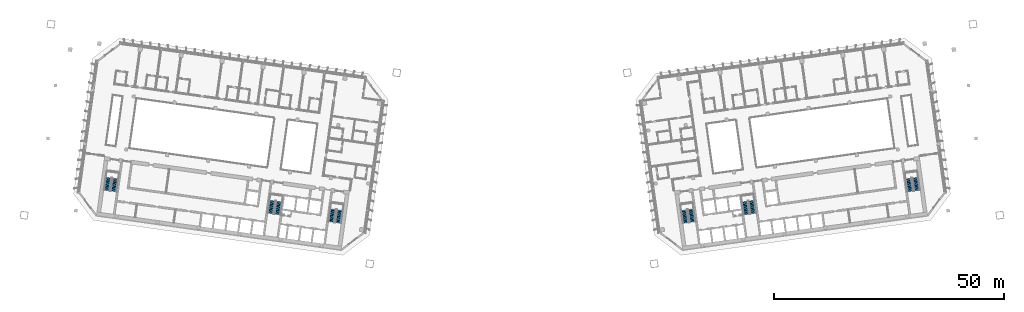
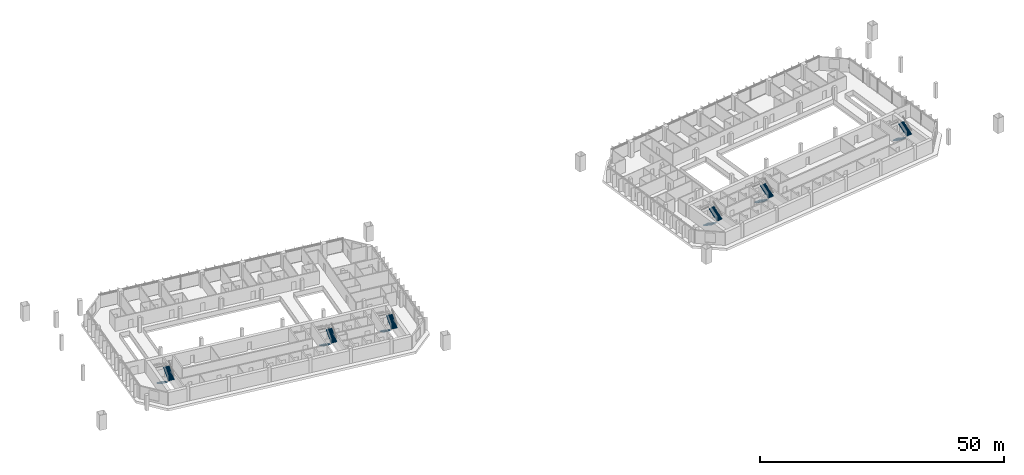
# One storey, part 24 of 26: 12 stair flights, 6 elements without a shape of their own.
"""IFC4 building model written with IfcOpenShell, lengths in metres."""

from ifc_helpers import new_model, si_unit, direction, frame, origin, place, context, subcontext, project, spatial, polyline, outline, extrude, material, type_object, element, aggregate, save


model = new_model("IFC4")

# Units and contexts
model_context = context("Model", 3, precision=1e-05, world=origin(), true_north=direction((0.0, 1.0)))
body_context = subcontext(model_context, "Body", "Model", "MODEL_VIEW")
ifc_project = project(units=[si_unit("LENGTHUNIT", "METRE"), si_unit("AREAUNIT", "SQUARE_METRE"), si_unit("VOLUMEUNIT", "CUBIC_METRE"), si_unit("PLANEANGLEUNIT", "RADIAN"), si_unit("MASSUNIT", "GRAM", prefix="KILO")], contexts=[model_context])

# Site, building, storey
site_placement = place(None, origin())
site = spatial("IfcSite", under=ifc_project, at=site_placement, CompositionType="ELEMENT")
building_placement = place(site_placement, origin())
building = spatial("IfcBuilding", under=site, at=building_placement, Name="Mirante Cascada Hotel Towers", CompositionType="ELEMENT")
storey_placement = place(building_placement, frame((0.0, 0.0, 98.7)))
storey = spatial("IfcBuildingStorey", under=building, at=storey_placement, Name="L21", CompositionType="ELEMENT", Elevation=98.7)

# Stair, stair flights
ifc_material_1 = material(Name="Concrete C35/45", Category="concrete")
stair_type = type_object("IfcStairType", Name="Exit stair half-turn 1350 concrete C35/45", PredefinedType="HALF_TURN_STAIR", material=ifc_material_1)
stair_1_placement = place(storey_placement, origin())
stair_1 = element("IfcStair", 1, at=stair_1_placement, inside=storey, type_object=stair_type, Name="L21 Exit stair A", PredefinedType="HALF_TURN_STAIR")
ifc_material_2 = material(Name="Concrete C35/45", Category="concrete")
stair_flight_type = type_object("IfcStairFlightType", Name="Exit stair flight 1350 concrete C35/45", PredefinedType="STRAIGHT", material=ifc_material_2)
stair_flight_1_placement = place(storey_placement, frame((-38.9417, -11.195, 0.0), z_axis=(0.0, 0.0, 1.0), x_axis=(-0.1391731, -0.9902681, 0.0)))
stair_flight_1 = element("IfcStairFlight", 2, at=stair_flight_1_placement, type_object=stair_flight_type, Name="ST1-A flight 1", NumberOfRisers=11, NumberOfTreads=10, PredefinedType="STRAIGHT", RiserHeight=0.172727273, TreadLength=0.28, context=body_context, shape_type="SweptSolid", body=[
    extrude(outline(polyline([(0.0, 0.0), (0.0, 0.1727), (0.28, 0.1727), (0.28, 0.3455), (0.56, 0.3455), (0.56, 0.5182), (0.84, 0.5182), (0.84, 0.6909), (1.12, 0.6909), (1.12, 0.8636), (1.4, 0.8636), (1.4, 1.0364), (1.68, 1.0364), (1.68, 1.2091), (1.96, 1.2091), (1.96, 1.3818), (2.24, 1.3818), (2.24, 1.5545), (2.52, 1.5545), (2.52, 1.7273), (2.8, 1.7273), (2.8, 1.9), (2.8, 1.551), (0.2857, 0.0), (0.0, 0.0)])), frame((0.0, 0.675, 0.0), z_axis=(0.0, -1.0, 0.0), x_axis=(1.0, 0.0, 0.0)), (0.0, 0.0, 1.0), 1.35),
])
stair_flight_2_placement = place(storey_placement, frame((-37.846, -14.1765, 1.9), z_axis=(0.0, 0.0, 1.0), x_axis=(0.1391731, 0.9902681, 0.0)))
stair_flight_2 = element("IfcStairFlight", 3, at=stair_flight_2_placement, type_object=stair_flight_type, Name="ST1-A flight 2", NumberOfRisers=11, NumberOfTreads=10, PredefinedType="STRAIGHT", RiserHeight=0.172727273, TreadLength=0.28, context=body_context, shape_type="SweptSolid", body=[
    extrude(outline(polyline([(0.0, 0.0), (0.0, 0.1727), (0.28, 0.1727), (0.28, 0.3455), (0.56, 0.3455), (0.56, 0.5182), (0.84, 0.5182), (0.84, 0.6909), (1.12, 0.6909), (1.12, 0.8636), (1.4, 0.8636), (1.4, 1.0364), (1.68, 1.0364), (1.68, 1.2091), (1.96, 1.2091), (1.96, 1.3818), (2.24, 1.3818), (2.24, 1.5545), (2.52, 1.5545), (2.52, 1.7273), (2.8, 1.7273), (2.8, 1.9), (2.8, 1.551), (0.2857, 0.0), (0.0, 0.0)])), frame((0.0, 0.675, 0.0), z_axis=(0.0, -1.0, 0.0), x_axis=(1.0, 0.0, 0.0)), (0.0, 0.0, 1.0), 1.35),
])
aggregate(stair_1, [stair_flight_1, stair_flight_2])

stair_2_placement = place(storey_placement, origin())
stair_2 = element("IfcStair", 4, at=stair_2_placement, inside=storey, type_object=stair_type, Name="L21 Exit stair B", PredefinedType="HALF_TURN_STAIR")
stair_flight_3_placement = place(storey_placement, frame((-52.1618, -9.3371, 0.0), z_axis=(0.0, 0.0, 1.0), x_axis=(-0.1391731, -0.9902681, 0.0)))
stair_flight_3 = element("IfcStairFlight", 5, at=stair_flight_3_placement, type_object=stair_flight_type, Name="ST1-B flight 1", NumberOfRisers=11, NumberOfTreads=10, PredefinedType="STRAIGHT", RiserHeight=0.172727273, TreadLength=0.28, context=body_context, shape_type="SweptSolid", body=[
    extrude(outline(polyline([(0.0, 0.0), (0.0, 0.1727), (0.28, 0.1727), (0.28, 0.3455), (0.56, 0.3455), (0.56, 0.5182), (0.84, 0.5182), (0.84, 0.6909), (1.12, 0.6909), (1.12, 0.8636), (1.4, 0.8636), (1.4, 1.0364), (1.68, 1.0364), (1.68, 1.2091), (1.96, 1.2091), (1.96, 1.3818), (2.24, 1.3818), (2.24, 1.5545), (2.52, 1.5545), (2.52, 1.7273), (2.8, 1.7273), (2.8, 1.9), (2.8, 1.551), (0.2857, 0.0), (0.0, 0.0)])), frame((0.0, 0.675, 0.0), z_axis=(0.0, -1.0, 0.0), x_axis=(1.0, 0.0, 0.0)), (0.0, 0.0, 1.0), 1.35),
])
stair_flight_4_placement = place(storey_placement, frame((-51.0661, -12.3186, 1.9), z_axis=(0.0, 0.0, 1.0), x_axis=(0.1391731, 0.9902681, 0.0)))
stair_flight_4 = element("IfcStairFlight", 6, at=stair_flight_4_placement, type_object=stair_flight_type, Name="ST1-B flight 2", NumberOfRisers=11, NumberOfTreads=10, PredefinedType="STRAIGHT", RiserHeight=0.172727273, TreadLength=0.28, context=body_context, shape_type="SweptSolid", body=[
    extrude(outline(polyline([(0.0, 0.0), (0.0, 0.1727), (0.28, 0.1727), (0.28, 0.3455), (0.56, 0.3455), (0.56, 0.5182), (0.84, 0.5182), (0.84, 0.6909), (1.12, 0.6909), (1.12, 0.8636), (1.4, 0.8636), (1.4, 1.0364), (1.68, 1.0364), (1.68, 1.2091), (1.96, 1.2091), (1.96, 1.3818), (2.24, 1.3818), (2.24, 1.5545), (2.52, 1.5545), (2.52, 1.7273), (2.8, 1.7273), (2.8, 1.9), (2.8, 1.551), (0.2857, 0.0), (0.0, 0.0)])), frame((0.0, 0.675, 0.0), z_axis=(0.0, -1.0, 0.0), x_axis=(1.0, 0.0, 0.0)), (0.0, 0.0, 1.0), 1.35),
])
aggregate(stair_2, [stair_flight_3, stair_flight_4])

stair_3_placement = place(storey_placement, origin())
stair_3 = element("IfcStair", 7, at=stair_3_placement, inside=storey, type_object=stair_type, Name="L21 Exit stair C", PredefinedType="HALF_TURN_STAIR")
stair_flight_5_placement = place(storey_placement, frame((-87.8115, -4.3268, 0.0), z_axis=(0.0, 0.0, 1.0), x_axis=(-0.1391731, -0.9902681, 0.0)))
stair_flight_5 = element("IfcStairFlight", 8, at=stair_flight_5_placement, type_object=stair_flight_type, Name="ST1-C flight 1", NumberOfRisers=11, NumberOfTreads=10, PredefinedType="STRAIGHT", RiserHeight=0.172727273, TreadLength=0.28, context=body_context, shape_type="SweptSolid", body=[
    extrude(outline(polyline([(0.0, 0.0), (0.0, 0.1727), (0.28, 0.1727), (0.28, 0.3455), (0.56, 0.3455), (0.56, 0.5182), (0.84, 0.5182), (0.84, 0.6909), (1.12, 0.6909), (1.12, 0.8636), (1.4, 0.8636), (1.4, 1.0364), (1.68, 1.0364), (1.68, 1.2091), (1.96, 1.2091), (1.96, 1.3818), (2.24, 1.3818), (2.24, 1.5545), (2.52, 1.5545), (2.52, 1.7273), (2.8, 1.7273), (2.8, 1.9), (2.8, 1.551), (0.2857, 0.0), (0.0, 0.0)])), frame((0.0, 0.675, 0.0), z_axis=(0.0, -1.0, 0.0), x_axis=(1.0, 0.0, 0.0)), (0.0, 0.0, 1.0), 1.35),
])
stair_flight_6_placement = place(storey_placement, frame((-86.7157, -7.3084, 1.9), z_axis=(0.0, 0.0, 1.0), x_axis=(0.1391731, 0.9902681, 0.0)))
stair_flight_6 = element("IfcStairFlight", 9, at=stair_flight_6_placement, type_object=stair_flight_type, Name="ST1-C flight 2", NumberOfRisers=11, NumberOfTreads=10, PredefinedType="STRAIGHT", RiserHeight=0.172727273, TreadLength=0.28, context=body_context, shape_type="SweptSolid", body=[
    extrude(outline(polyline([(0.0, 0.0), (0.0, 0.1727), (0.28, 0.1727), (0.28, 0.3455), (0.56, 0.3455), (0.56, 0.5182), (0.84, 0.5182), (0.84, 0.6909), (1.12, 0.6909), (1.12, 0.8636), (1.4, 0.8636), (1.4, 1.0364), (1.68, 1.0364), (1.68, 1.2091), (1.96, 1.2091), (1.96, 1.3818), (2.24, 1.3818), (2.24, 1.5545), (2.52, 1.5545), (2.52, 1.7273), (2.8, 1.7273), (2.8, 1.9), (2.8, 1.551), (0.2857, 0.0), (0.0, 0.0)])), frame((0.0, 0.675, 0.0), z_axis=(0.0, -1.0, 0.0), x_axis=(1.0, 0.0, 0.0)), (0.0, 0.0, 1.0), 1.35),
])
aggregate(stair_3, [stair_flight_5, stair_flight_6])

stair_4_placement = place(storey_placement, origin())
stair_4 = element("IfcStair", 10, at=stair_4_placement, inside=storey, type_object=stair_type, Name="L21 Exit stair A", PredefinedType="HALF_TURN_STAIR")
stair_flight_7_placement = place(storey_placement, frame((37.4563, -11.4038, 0.0), z_axis=(0.0, 0.0, 1.0), x_axis=(0.1391731, -0.9902681, 0.0)))
stair_flight_7 = element("IfcStairFlight", 11, at=stair_flight_7_placement, type_object=stair_flight_type, Name="ST2-A flight 1", NumberOfRisers=11, NumberOfTreads=10, PredefinedType="STRAIGHT", RiserHeight=0.172727273, TreadLength=0.28, context=body_context, shape_type="SweptSolid", body=[
    extrude(outline(polyline([(0.0, 0.0), (0.0, 0.1727), (0.28, 0.1727), (0.28, 0.3455), (0.56, 0.3455), (0.56, 0.5182), (0.84, 0.5182), (0.84, 0.6909), (1.12, 0.6909), (1.12, 0.8636), (1.4, 0.8636), (1.4, 1.0364), (1.68, 1.0364), (1.68, 1.2091), (1.96, 1.2091), (1.96, 1.3818), (2.24, 1.3818), (2.24, 1.5545), (2.52, 1.5545), (2.52, 1.7273), (2.8, 1.7273), (2.8, 1.9), (2.8, 1.551), (0.2857, 0.0), (0.0, 0.0)])), frame((0.0, 0.675, 0.0), z_axis=(0.0, -1.0, 0.0), x_axis=(1.0, 0.0, 0.0)), (0.0, 0.0, 1.0), 1.35),
])
stair_flight_8_placement = place(storey_placement, frame((39.3314, -13.9678, 1.9), z_axis=(0.0, 0.0, 1.0), x_axis=(-0.1391731, 0.9902681, 0.0)))
stair_flight_8 = element("IfcStairFlight", 12, at=stair_flight_8_placement, type_object=stair_flight_type, Name="ST2-A flight 2", NumberOfRisers=11, NumberOfTreads=10, PredefinedType="STRAIGHT", RiserHeight=0.172727273, TreadLength=0.28, context=body_context, shape_type="SweptSolid", body=[
    extrude(outline(polyline([(0.0, 0.0), (0.0, 0.1727), (0.28, 0.1727), (0.28, 0.3455), (0.56, 0.3455), (0.56, 0.5182), (0.84, 0.5182), (0.84, 0.6909), (1.12, 0.6909), (1.12, 0.8636), (1.4, 0.8636), (1.4, 1.0364), (1.68, 1.0364), (1.68, 1.2091), (1.96, 1.2091), (1.96, 1.3818), (2.24, 1.3818), (2.24, 1.5545), (2.52, 1.5545), (2.52, 1.7273), (2.8, 1.7273), (2.8, 1.9), (2.8, 1.551), (0.2857, 0.0), (0.0, 0.0)])), frame((0.0, 0.675, 0.0), z_axis=(0.0, -1.0, 0.0), x_axis=(1.0, 0.0, 0.0)), (0.0, 0.0, 1.0), 1.35),
])
aggregate(stair_4, [stair_flight_7, stair_flight_8])

stair_5_placement = place(storey_placement, origin())
stair_5 = element("IfcStair", 13, at=stair_5_placement, inside=storey, type_object=stair_type, Name="L21 Exit stair B", PredefinedType="HALF_TURN_STAIR")
stair_flight_9_placement = place(storey_placement, frame((50.6764, -9.5458, 0.0), z_axis=(0.0, 0.0, 1.0), x_axis=(0.1391731, -0.9902681, 0.0)))
stair_flight_9 = element("IfcStairFlight", 14, at=stair_flight_9_placement, type_object=stair_flight_type, Name="ST2-B flight 1", NumberOfRisers=11, NumberOfTreads=10, PredefinedType="STRAIGHT", RiserHeight=0.172727273, TreadLength=0.28, context=body_context, shape_type="SweptSolid", body=[
    extrude(outline(polyline([(0.0, 0.0), (0.0, 0.1727), (0.28, 0.1727), (0.28, 0.3455), (0.56, 0.3455), (0.56, 0.5182), (0.84, 0.5182), (0.84, 0.6909), (1.12, 0.6909), (1.12, 0.8636), (1.4, 0.8636), (1.4, 1.0364), (1.68, 1.0364), (1.68, 1.2091), (1.96, 1.2091), (1.96, 1.3818), (2.24, 1.3818), (2.24, 1.5545), (2.52, 1.5545), (2.52, 1.7273), (2.8, 1.7273), (2.8, 1.9), (2.8, 1.551), (0.2857, 0.0), (0.0, 0.0)])), frame((0.0, 0.675, 0.0), z_axis=(0.0, -1.0, 0.0), x_axis=(1.0, 0.0, 0.0)), (0.0, 0.0, 1.0), 1.35),
])
stair_flight_10_placement = place(storey_placement, frame((52.5515, -12.1098, 1.9), z_axis=(0.0, 0.0, 1.0), x_axis=(-0.1391731, 0.9902681, 0.0)))
stair_flight_10 = element("IfcStairFlight", 15, at=stair_flight_10_placement, type_object=stair_flight_type, Name="ST2-B flight 2", NumberOfRisers=11, NumberOfTreads=10, PredefinedType="STRAIGHT", RiserHeight=0.172727273, TreadLength=0.28, context=body_context, shape_type="SweptSolid", body=[
    extrude(outline(polyline([(0.0, 0.0), (0.0, 0.1727), (0.28, 0.1727), (0.28, 0.3455), (0.56, 0.3455), (0.56, 0.5182), (0.84, 0.5182), (0.84, 0.6909), (1.12, 0.6909), (1.12, 0.8636), (1.4, 0.8636), (1.4, 1.0364), (1.68, 1.0364), (1.68, 1.2091), (1.96, 1.2091), (1.96, 1.3818), (2.24, 1.3818), (2.24, 1.5545), (2.52, 1.5545), (2.52, 1.7273), (2.8, 1.7273), (2.8, 1.9), (2.8, 1.551), (0.2857, 0.0), (0.0, 0.0)])), frame((0.0, 0.675, 0.0), z_axis=(0.0, -1.0, 0.0), x_axis=(1.0, 0.0, 0.0)), (0.0, 0.0, 1.0), 1.35),
])
aggregate(stair_5, [stair_flight_9, stair_flight_10])

stair_6_placement = place(storey_placement, origin())
stair_6 = element("IfcStair", 16, at=stair_6_placement, inside=storey, type_object=stair_type, Name="L21 Exit stair C", PredefinedType="HALF_TURN_STAIR")
stair_flight_11_placement = place(storey_placement, frame((86.326, -4.5356, 0.0), z_axis=(0.0, 0.0, 1.0), x_axis=(0.1391731, -0.9902681, 0.0)))
stair_flight_11 = element("IfcStairFlight", 17, at=stair_flight_11_placement, type_object=stair_flight_type, Name="ST2-C flight 1", NumberOfRisers=11, NumberOfTreads=10, PredefinedType="STRAIGHT", RiserHeight=0.172727273, TreadLength=0.28, context=body_context, shape_type="SweptSolid", body=[
    extrude(outline(polyline([(0.0, 0.0), (0.0, 0.1727), (0.28, 0.1727), (0.28, 0.3455), (0.56, 0.3455), (0.56, 0.5182), (0.84, 0.5182), (0.84, 0.6909), (1.12, 0.6909), (1.12, 0.8636), (1.4, 0.8636), (1.4, 1.0364), (1.68, 1.0364), (1.68, 1.2091), (1.96, 1.2091), (1.96, 1.3818), (2.24, 1.3818), (2.24, 1.5545), (2.52, 1.5545), (2.52, 1.7273), (2.8, 1.7273), (2.8, 1.9), (2.8, 1.551), (0.2857, 0.0), (0.0, 0.0)])), frame((0.0, 0.675, 0.0), z_axis=(0.0, -1.0, 0.0), x_axis=(1.0, 0.0, 0.0)), (0.0, 0.0, 1.0), 1.35),
])
stair_flight_12_placement = place(storey_placement, frame((88.2011, -7.0996, 1.9), z_axis=(0.0, 0.0, 1.0), x_axis=(-0.1391731, 0.9902681, 0.0)))
stair_flight_12 = element("IfcStairFlight", 18, at=stair_flight_12_placement, type_object=stair_flight_type, Name="ST2-C flight 2", NumberOfRisers=11, NumberOfTreads=10, PredefinedType="STRAIGHT", RiserHeight=0.172727273, TreadLength=0.28, context=body_context, shape_type="SweptSolid", body=[
    extrude(outline(polyline([(0.0, 0.0), (0.0, 0.1727), (0.28, 0.1727), (0.28, 0.3455), (0.56, 0.3455), (0.56, 0.5182), (0.84, 0.5182), (0.84, 0.6909), (1.12, 0.6909), (1.12, 0.8636), (1.4, 0.8636), (1.4, 1.0364), (1.68, 1.0364), (1.68, 1.2091), (1.96, 1.2091), (1.96, 1.3818), (2.24, 1.3818), (2.24, 1.5545), (2.52, 1.5545), (2.52, 1.7273), (2.8, 1.7273), (2.8, 1.9), (2.8, 1.551), (0.2857, 0.0), (0.0, 0.0)])), frame((0.0, 0.675, 0.0), z_axis=(0.0, -1.0, 0.0), x_axis=(1.0, 0.0, 0.0)), (0.0, 0.0, 1.0), 1.35),
])
aggregate(stair_6, [stair_flight_11, stair_flight_12])

save(model, "model.ifc")
